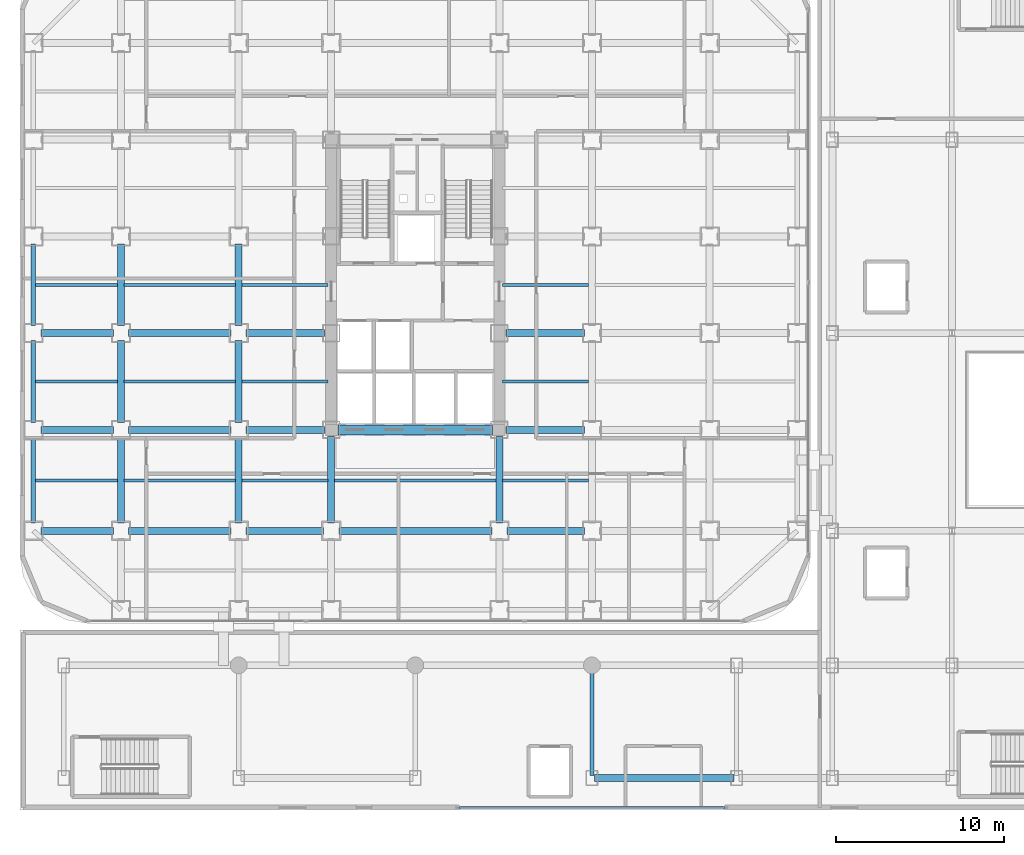
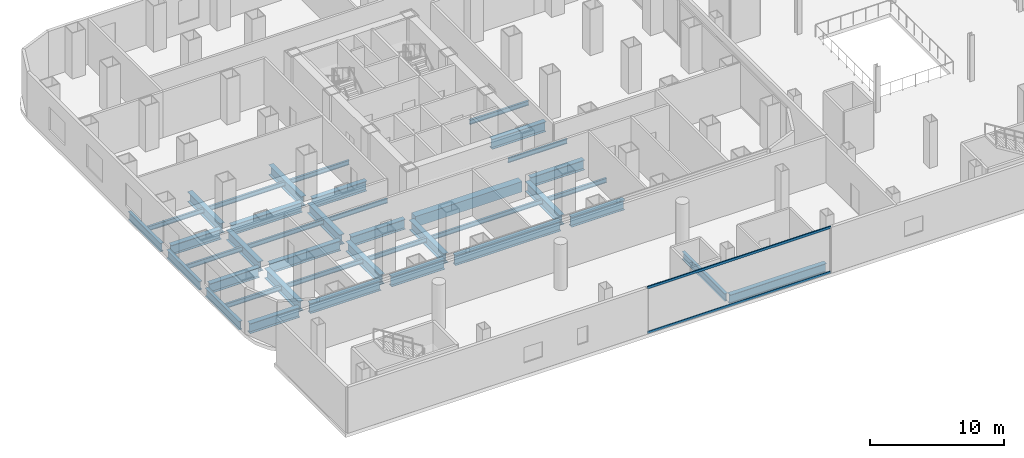
# One storey, part 9 of 26: 40 beams, 2 members, 1 element without a shape of its own.
"""IFC4 building model written with IfcOpenShell, lengths in metres."""

import ifcopenshell
import ifcopenshell.guid

model = None  # the IFC model being written
_history = None  # IfcOwnerHistory: only IFC2X3 demands one
_inside = {}  # id of a spatial element -> (the spatial element, [elements in it])
_under = {}  # id of a project, library or spatial element -> (it, [spatial elements below it])
_declared = {}  # id of a project -> (the project, [libraries it declares])
_typed = {}  # id of a type object -> (the type object, [elements of that type])
_made_of = {}  # id of a material, layer set ... -> (it, [elements and type objects made of it])


def new_model(schema):
    """Start an empty IFC model of exactly this schema.

    Asked for "IFC4X3", IfcOpenShell would pick the latest addendum, in which some entities
    have other attributes; the version numbers below select the first issue.
    IFC2X3 requires an IfcOwnerHistory on every rooted entity: one is made here for all.
    """
    global model, _history
    if schema == "IFC4X3":
        model = ifcopenshell.file(schema_version=(4, 3, 0, 0))
    else:
        model = ifcopenshell.file(schema=schema)
    _inside.clear()
    _under.clear()
    _declared.clear()
    _typed.clear()
    _made_of.clear()
    _history = None
    if model.schema == "IFC2X3":
        org = make("IfcOrganization", Name="unknown")
        user = make(
            "IfcPersonAndOrganization",
            ThePerson=make("IfcPerson", FamilyName="unknown"),
            TheOrganization=org,
        )
        app = make(
            "IfcApplication",
            ApplicationDeveloper=org,
            Version="unknown",
            ApplicationFullName="unknown",
            ApplicationIdentifier="unknown",
        )
        _history = make(
            "IfcOwnerHistory",
            OwningUser=user,
            OwningApplication=app,
            ChangeAction="ADDED",
            CreationDate=0,
        )
    return model


def make(cls, **values):
    """One entity of the class cls with the attributes given. An attribute that is None is left unset."""
    return model.create_entity(
        cls, **{name: value for name, value in values.items() if value is not None}
    )


def rooted(cls, **values):
    """An entity with a GlobalId (a new one), such as an element, a storey or a relation."""
    return make(cls, GlobalId=ifcopenshell.guid.new(), OwnerHistory=_history, **values)


def si_unit(unit_type, name, prefix=None):
    """IfcSIUnit, for example si_unit("LENGTHUNIT", "METRE", prefix="MILLI")."""
    return make("IfcSIUnit", UnitType=unit_type, Prefix=prefix, Name=name)


def assignment(units):
    """IfcUnitAssignment: the units of a project."""
    return None if units is None else make("IfcUnitAssignment", Units=units)


def point(xyz):
    """IfcCartesianPoint."""
    return None if xyz is None else make("IfcCartesianPoint", Coordinates=xyz)


def direction(xyz):
    """IfcDirection."""
    return None if xyz is None else make("IfcDirection", DirectionRatios=xyz)


def frame(location, z_axis=None, x_axis=None):
    """IfcAxis2Placement3D, a coordinate frame: its origin and axes. An axis left out is left unset."""
    return make(
        "IfcAxis2Placement3D",
        Location=point(location),
        Axis=direction(z_axis),
        RefDirection=direction(x_axis),
    )


def frame_2d(location, x_axis=None):
    """IfcAxis2Placement2D, a coordinate frame in the plane: its origin and x axis."""
    return make(
        "IfcAxis2Placement2D", Location=point(location), RefDirection=direction(x_axis)
    )


def origin():
    """The frame at (0, 0, 0) with its axes left unset."""
    return frame((0.0, 0.0, 0.0))


def origin_2d():
    """The frame at (0, 0) in the plane with its x axis left unset."""
    return frame_2d((0.0, 0.0))


def place(relative_to, where):
    """IfcLocalPlacement: puts the frame where relative to a parent placement (None: the world)."""
    return make(
        "IfcLocalPlacement", PlacementRelTo=relative_to, RelativePlacement=where
    )


def context(
    kind, dimensions, precision=None, world=None, true_north=None, identifier=None
):
    """IfcGeometricRepresentationContext, for example the 3D "Model" context."""
    return make(
        "IfcGeometricRepresentationContext",
        ContextIdentifier=identifier,
        ContextType=kind,
        CoordinateSpaceDimension=dimensions,
        Precision=precision,
        WorldCoordinateSystem=world,
        TrueNorth=true_north,
    )


def subcontext(parent, identifier, kind, view, scale=None):
    """IfcGeometricRepresentationSubContext, for example "Body" below "Model"."""
    return make(
        "IfcGeometricRepresentationSubContext",
        ContextIdentifier=identifier,
        ContextType=kind,
        ParentContext=parent,
        TargetScale=scale,
        TargetView=view,
    )


def project(units=None, contexts=None):
    """IfcProject with its units and contexts."""
    return rooted(
        "IfcProject",
        Name="project",
        RepresentationContexts=contexts,
        UnitsInContext=assignment(units),
    )


def spatial(cls, under=None, at=None, **own):
    """A site, building, storey or space (cls), placed at a placement, below another one or the project."""
    s = rooted(cls, ObjectPlacement=at, **own)
    if under is not None:
        _under.setdefault(under.id(), (under, []))[1].append(s)
    return s


def profile(cls, at=None, kind="AREA", **sizes):
    """A parametric profile (cls). Its sizes go by their IFC names, for example OverallWidth=200.0."""
    return make(cls, ProfileType=kind, Position=at, **sizes)


def rectangle(**sizes):
    """IfcRectangleProfileDef."""
    return profile("IfcRectangleProfileDef", **sizes)


def hollow_rectangle(**sizes):
    """IfcRectangleHollowProfileDef."""
    return profile("IfcRectangleHollowProfileDef", **sizes)


def i_section(**sizes):
    """IfcIShapeProfileDef."""
    return profile("IfcIShapeProfileDef", **sizes)


def extrude(swept, where, along, depth):
    """IfcExtrudedAreaSolid: the profile swept, set in the frame where, extruded along a direction by depth."""
    return make(
        "IfcExtrudedAreaSolid",
        SweptArea=swept,
        Position=where,
        ExtrudedDirection=direction(along),
        Depth=depth,
    )


def shape(context_of_items, identifier, shape_type, items):
    """IfcShapeRepresentation: the items that make up one representation, for example the "Body"."""
    return make(
        "IfcShapeRepresentation",
        ContextOfItems=context_of_items,
        RepresentationIdentifier=identifier,
        RepresentationType=shape_type,
        Items=items,
    )


def source(mapping_origin, context_of_items, identifier, shape_type, items):
    """IfcRepresentationMap: a shape defined once, which mapped items show again and again."""
    return make(
        "IfcRepresentationMap",
        MappingOrigin=mapping_origin,
        MappedRepresentation=shape(context_of_items, identifier, shape_type, items),
    )


def transform(
    local_origin,
    x_axis=None,
    y_axis=None,
    z_axis=None,
    scale=None,
    scale2=None,
    scale3=None,
    uniform=True,
):
    """IfcCartesianTransformationOperator3D, or its non-uniform kind. x_axis, y_axis, z_axis: its Axis1, 2, 3."""
    if uniform:
        return make(
            "IfcCartesianTransformationOperator3D",
            Axis1=direction(x_axis),
            Axis2=direction(y_axis),
            LocalOrigin=point(local_origin),
            Scale=scale,
            Axis3=direction(z_axis),
        )
    return make(
        "IfcCartesianTransformationOperator3DnonUniform",
        Axis1=direction(x_axis),
        Axis2=direction(y_axis),
        LocalOrigin=point(local_origin),
        Scale=scale,
        Axis3=direction(z_axis),
        Scale2=scale2,
        Scale3=scale3,
    )


def mapped(mapping_source, mapping_target):
    """IfcMappedItem: shows the shape of a source again, moved by a transform."""
    return make(
        "IfcMappedItem", MappingSource=mapping_source, MappingTarget=mapping_target
    )


def material(Name=None, Category=None):
    """IfcMaterial."""
    return make("IfcMaterial", Name=Name, Category=Category)


def layer(
    of_material, thickness, ventilated=None, Name=None, Category=None, Priority=None
):
    """IfcMaterialLayer: one layer of a wall or slab, of a material (None: an air gap)."""
    return make(
        "IfcMaterialLayer",
        Material=of_material,
        LayerThickness=thickness,
        IsVentilated=ventilated,
        Name=Name,
        Category=Category,
        Priority=Priority,
    )


def layer_set(layers, Name=None):
    """IfcMaterialLayerSet."""
    return make("IfcMaterialLayerSet", MaterialLayers=layers, LayerSetName=Name)


def material_profile(
    of_material, cross_section, Name=None, Category=None, Priority=None
):
    """IfcMaterialProfile: a cross section and its material."""
    return make(
        "IfcMaterialProfile",
        Name=Name,
        Material=of_material,
        Profile=cross_section,
        Priority=Priority,
        Category=Category,
    )


def profile_set(profiles, Name=None, composite=None):
    """IfcMaterialProfileSet."""
    return make(
        "IfcMaterialProfileSet",
        Name=Name,
        MaterialProfiles=profiles,
        CompositeProfile=composite,
    )


def made_of(thing, what):
    """Note that an element or type object is made of a material, layer set ...; save() writes the relation."""
    if what is not None:
        _made_of.setdefault(what.id(), (what, []))[1].append(thing)
    return thing


def type_object(cls, material=None, **own):
    """A type object (cls), such as IfcWallType, which elements share."""
    return made_of(rooted(cls, **own), material)


def element(
    cls,
    number,
    at=None,
    inside=None,
    cuts=None,
    type_object=None,
    material=None,
    context=None,
    identifier="Body",
    shape_type=None,
    held_by="IfcProductDefinitionShape",
    body=None,
    shapes=None,
    **own,
):
    """One element of the class cls, such as IfcWall. Its Tag is "e" and its number.

    at: its placement. inside: the storey or other place that contains it. cuts: it is an
    opening in that element (IfcRelVoidsElement). A single representation is given by context,
    identifier, shape_type and body (its items); several are given by shapes. held_by: the class
    of the entity that holds the representations. save() writes the other relations.
    """
    e = rooted(cls, Tag="e%d" % number, ObjectPlacement=at, **own)
    if body is not None:
        shapes = [shape(context, identifier, shape_type, body)]
    if shapes is not None:
        e.Representation = make(held_by, Representations=shapes)
    if inside is not None:
        _inside.setdefault(inside.id(), (inside, []))[1].append(e)
    if cuts is not None:
        rooted(
            "IfcRelVoidsElement", RelatingBuildingElement=cuts, RelatedOpeningElement=e
        )
    if type_object is not None:
        _typed.setdefault(type_object.id(), (type_object, []))[1].append(e)
    return made_of(e, material)


def aggregate(whole, parts):
    """IfcRelAggregates: a whole, such as a stair, and the parts it consists of."""
    return rooted("IfcRelAggregates", RelatingObject=whole, RelatedObjects=parts)


def save(model, path):
    """Write the relations noted so far, then the file.

    IfcRelAggregates (storeys below a building ...), IfcRelContainedInSpatialStructure (elements
    in a storey), IfcRelDefinesByType, IfcRelAssociatesMaterial and IfcRelDeclares: one each for
    every whole, place, type object, material and project.
    """
    for whole, parts in _under.values():
        aggregate(whole, parts)
    for where, things in _inside.values():
        rooted(
            "IfcRelContainedInSpatialStructure",
            RelatedElements=things,
            RelatingStructure=where,
        )
    for kind, things in _typed.values():
        rooted("IfcRelDefinesByType", RelatedObjects=things, RelatingType=kind)
    for what, things in _made_of.values():
        rooted("IfcRelAssociatesMaterial", RelatedObjects=things, RelatingMaterial=what)
    for by, libraries in _declared.values():
        rooted("IfcRelDeclares", RelatingContext=by, RelatedDefinitions=libraries)
    model.write(path)


model = new_model("IFC4")

# Units and contexts
model_context = context("Model", 3, precision=1e-05, world=origin(), true_north=direction((0.0, 1.0)))
body_context = subcontext(model_context, "Body", "Model", "MODEL_VIEW")
ifc_project = project(units=[si_unit("LENGTHUNIT", "METRE"), si_unit("AREAUNIT", "SQUARE_METRE"), si_unit("VOLUMEUNIT", "CUBIC_METRE"), si_unit("PLANEANGLEUNIT", "RADIAN"), si_unit("MASSUNIT", "GRAM", prefix="KILO")], contexts=[model_context])

# Site, building, storey
site_placement = place(None, origin())
site = spatial("IfcSite", under=ifc_project, at=site_placement, CompositionType="ELEMENT")
building_placement = place(site_placement, origin())
building = spatial("IfcBuilding", under=site, at=building_placement, Name="Kolveth Station Tower", CompositionType="ELEMENT")
storey_placement = place(building_placement, frame((0.0, 0.0, 4.5)))
storey = spatial("IfcBuildingStorey", under=building, at=storey_placement, Name="L01", CompositionType="ELEMENT", Elevation=4.5)

# Beams
ifc_material_1 = material(Name="Steel S355", Category="steel")
ifc_material_profile_1 = material_profile(ifc_material_1, i_section(OverallWidth=0.26904296875, OverallDepth=0.77490234375, WebThickness=0.01708984375, FlangeThickness=0.0283203125, at=origin_2d()), Name="W760x220")
ifc_profile_set_1 = profile_set([ifc_material_profile_1], Name="Steel S355")
beam_type_1 = type_object("IfcBeamType", Name="Beam_SP1", PredefinedType="SPANDREL", material=ifc_profile_set_1)
shared_shape_1 = source(origin(), body_context, "Body", "SweptSolid", [
    extrude(i_section(OverallWidth=0.26904296875, OverallDepth=0.77490234375, WebThickness=0.01708984375, FlangeThickness=0.0283203125, at=origin_2d()), origin(), (0.0, 0.0, 1.0), 5.10009765625),
])
beam_1_placement = place(storey_placement, frame((0.800048828125, 5.949951171875, -0.70751953125), z_axis=(0.0, 1.0, 0.0), x_axis=(-1.0, 0.0, 0.0)))
element("IfcBeam", 1, at=beam_1_placement, inside=storey, type_object=beam_type_1, Name="L01 Perimeter Spandrel BM-L01-PW-1", PredefinedType="SPANDREL", context=body_context, shape_type="MappedRepresentation", body=[
    mapped(shared_shape_1, transform((0.0, 0.0, 0.0), x_axis=(1.0, 0.0, 0.0), y_axis=(0.0, 1.0, 0.0), z_axis=(0.0, 0.0, 1.0), scale=1.0)),
])
shared_shape_2 = source(origin(), body_context, "Body", "SweptSolid", [
    extrude(i_section(OverallWidth=0.26904296875, OverallDepth=0.77490234375, WebThickness=0.01708984375, FlangeThickness=0.0283203125, at=origin_2d()), origin(), (0.0, 0.0, 1.0), 4.85009765625),
])
for number, where, z_axis, x_axis, name in (
    (2, (0.800048828125, 11.949951171875, -0.70751953125), (0.0, 1.0, 0.0), (-1.0, 0.0, 0.0), "L01 Perimeter Spandrel BM-L01-PW-2"),
    (3, (0.800048828125, 17.699951171875, -0.70751953125), (0.0, 1.0, 0.0), (-1.0, 0.0, 0.0), "L01 Perimeter Spandrel BM-L01-PW-3"),
):
    element("IfcBeam", number, at=place(storey_placement, frame(where, z_axis=z_axis, x_axis=x_axis)), inside=storey, type_object=beam_type_1, Name=name, PredefinedType="SPANDREL", context=body_context, shape_type="MappedRepresentation", body=[
        mapped(shared_shape_2, transform((0.0, 0.0, 0.0), x_axis=(1.0, 0.0, 0.0), y_axis=(0.0, 1.0, 0.0), z_axis=(0.0, 0.0, 1.0), scale=1.0)),
    ])
ifc_material_profile_2 = material_profile(ifc_material_1, i_section(OverallWidth=0.41796875, OverallDepth=0.912109375, WebThickness=0.019287109375, FlangeThickness=0.031982421875, at=origin_2d()), Name="W920x342")
ifc_profile_set_2 = profile_set([ifc_material_profile_2], Name="Steel S355")
beam_type_2 = type_object("IfcBeamType", Name="Beam_B1", PredefinedType="BEAM", material=ifc_profile_set_2)
shared_shape_3 = source(origin(), body_context, "Body", "SweptSolid", [
    extrude(i_section(OverallWidth=0.41796875, OverallDepth=0.912109375, WebThickness=0.019287109375, FlangeThickness=0.031982421875, at=origin_2d()), origin(), (0.0, 0.0, 1.0), 4.300048828125),
])
for number, where, z_axis, x_axis, name in (
    (4, (1.25, 5.5, -0.77587890625), (1.0, 0.0, 0.0), (0.0, 1.0, 0.0), "L01 Primary Girder BM-L01-GY55-1"),
    (5, (1.25, 11.5, -0.77587890625), (1.0, 0.0, 0.0), (0.0, 1.0, 0.0), "L01 Primary Girder BM-L01-GY115-1"),
    (6, (1.25, 17.25, -0.77587890625), (1.0, 0.0, 0.0), (0.0, 1.0, 0.0), "L01 Primary Girder BM-L01-GY172-1"),
):
    element("IfcBeam", number, at=place(storey_placement, frame(where, z_axis=z_axis, x_axis=x_axis)), inside=storey, type_object=beam_type_2, Name=name, PredefinedType="BEAM", context=body_context, shape_type="MappedRepresentation", body=[
        mapped(shared_shape_3, transform((0.0, 0.0, 0.0), x_axis=(1.0, 0.0, 0.0), y_axis=(0.0, 1.0, 0.0), z_axis=(0.0, 0.0, 1.0), scale=1.0)),
    ])
shared_shape_4 = source(origin(), body_context, "Body", "SweptSolid", [
    extrude(i_section(OverallWidth=0.41796875, OverallDepth=0.912109375, WebThickness=0.019287109375, FlangeThickness=0.031982421875, at=origin_2d()), origin(), (0.0, 0.0, 1.0), 6.10009765625),
])
for number, where, z_axis, x_axis, name in (
    (7, (6.449951171875, 5.5, -0.77587890625), (1.0, 0.0, 0.0), (0.0, 1.0, 0.0), "L01 Primary Girder BM-L01-GY55-2"),
    (8, (6.449951171875, 11.5, -0.77587890625), (1.0, 0.0, 0.0), (0.0, 1.0, 0.0), "L01 Primary Girder BM-L01-GY115-2"),
    (9, (6.449951171875, 17.25, -0.77587890625), (1.0, 0.0, 0.0), (0.0, 1.0, 0.0), "L01 Primary Girder BM-L01-GY172-2"),
):
    element("IfcBeam", number, at=place(storey_placement, frame(where, z_axis=z_axis, x_axis=x_axis)), inside=storey, type_object=beam_type_2, Name=name, PredefinedType="BEAM", context=body_context, shape_type="MappedRepresentation", body=[
        mapped(shared_shape_4, transform((0.0, 0.0, 0.0), x_axis=(1.0, 0.0, 0.0), y_axis=(0.0, 1.0, 0.0), z_axis=(0.0, 0.0, 1.0), scale=1.0)),
    ])
shared_shape_5 = source(origin(), body_context, "Body", "SweptSolid", [
    extrude(i_section(OverallWidth=0.41796875, OverallDepth=0.912109375, WebThickness=0.019287109375, FlangeThickness=0.031982421875, at=origin_2d()), origin(), (0.0, 0.0, 1.0), 4.60009765625),
])
for number, where, z_axis, x_axis, name in (
    (10, (13.449951171875, 5.5, -0.77587890625), (1.0, 0.0, 0.0), (0.0, 1.0, 0.0), "L01 Primary Girder BM-L01-GY55-3"),
    (11, (28.949951171875, 5.5, -0.77587890625), (1.0, 0.0, 0.0), (0.0, 1.0, 0.0), "L01 Primary Girder BM-L01-GY55-5"),
):
    element("IfcBeam", number, at=place(storey_placement, frame(where, z_axis=z_axis, x_axis=x_axis)), inside=storey, type_object=beam_type_2, Name=name, PredefinedType="BEAM", context=body_context, shape_type="MappedRepresentation", body=[
        mapped(shared_shape_5, transform((0.0, 0.0, 0.0), x_axis=(1.0, 0.0, 0.0), y_axis=(0.0, 1.0, 0.0), z_axis=(0.0, 0.0, 1.0), scale=1.0)),
    ])
shared_shape_6 = source(origin(), body_context, "Body", "SweptSolid", [
    extrude(i_section(OverallWidth=0.41796875, OverallDepth=0.912109375, WebThickness=0.019287109375, FlangeThickness=0.031982421875, at=origin_2d()), origin(), (0.0, 0.0, 1.0), 9.10009765625),
])
beam_2_placement = place(storey_placement, frame((18.949951171875, 5.5, -0.77587890625), z_axis=(1.0, 0.0, 0.0), x_axis=(0.0, 1.0, 0.0)))
element("IfcBeam", 12, at=beam_2_placement, inside=storey, type_object=beam_type_2, Name="L01 Primary Girder BM-L01-GY55-4", PredefinedType="BEAM", context=body_context, shape_type="MappedRepresentation", body=[
    mapped(shared_shape_6, transform((0.0, 0.0, 0.0), x_axis=(1.0, 0.0, 0.0), y_axis=(0.0, 1.0, 0.0), z_axis=(0.0, 0.0, 1.0), scale=1.0)),
])
shared_shape_7 = source(origin(), body_context, "Body", "SweptSolid", [
    extrude(i_section(OverallWidth=0.41796875, OverallDepth=0.912109375, WebThickness=0.019287109375, FlangeThickness=0.031982421875, at=origin_2d()), origin(), (0.0, 0.0, 1.0), 4.650146484375),
])
for number, where, z_axis, x_axis, name in (
    (13, (13.449951171875, 11.5, -0.77587890625), (1.0, 0.0, 0.0), (0.0, 1.0, 0.0), "L01 Primary Girder BM-L01-GY115-3"),
    (14, (28.89990234375, 11.5, -0.77587890625), (1.0, 0.0, 0.0), (0.0, 1.0, 0.0), "L01 Primary Girder BM-L01-GY115-5"),
    (15, (13.449951171875, 17.25, -0.77587890625), (1.0, 0.0, 0.0), (0.0, 1.0, 0.0), "L01 Primary Girder BM-L01-GY172-3"),
    (16, (28.89990234375, 17.25, -0.77587890625), (1.0, 0.0, 0.0), (0.0, 1.0, 0.0), "L01 Primary Girder BM-L01-GY172-5"),
):
    element("IfcBeam", number, at=place(storey_placement, frame(where, z_axis=z_axis, x_axis=x_axis)), inside=storey, type_object=beam_type_2, Name=name, PredefinedType="BEAM", context=body_context, shape_type="MappedRepresentation", body=[
        mapped(shared_shape_7, transform((0.0, 0.0, 0.0), x_axis=(1.0, 0.0, 0.0), y_axis=(0.0, 1.0, 0.0), z_axis=(0.0, 0.0, 1.0), scale=1.0)),
    ])
ifc_material_2 = material(Name="Concrete C60/75", Category="concrete")
ifc_material_profile_3 = material_profile(ifc_material_2, rectangle(XDim=0.60009765625, YDim=0.949951171875, at=origin_2d()), Name="RC-600x950")
ifc_profile_set_3 = profile_set([ifc_material_profile_3], Name="Concrete C60/75")
beam_type_3 = type_object("IfcBeamType", Name="Beam_CB1", PredefinedType="BEAM", material=ifc_profile_set_3)
shared_shape_8 = source(origin(), body_context, "Body", "SweptSolid", [
    extrude(rectangle(XDim=0.60009765625, YDim=0.949951171875, at=origin_2d()), origin(), (0.0, 0.0, 1.0), 9.2001953125),
])
beam_3_placement = place(storey_placement, frame((18.89990234375, 11.5, -0.794921875), z_axis=(1.0, 0.0, 0.0), x_axis=(0.0, 1.0, 0.0)))
element("IfcBeam", 17, at=beam_3_placement, inside=storey, type_object=beam_type_3, Name="L01 Core Coupling Beam BM-L01-CB-Y115", PredefinedType="BEAM", context=body_context, shape_type="MappedRepresentation", body=[
    mapped(shared_shape_8, transform((0.0, 0.0, 0.0), x_axis=(1.0, 0.0, 0.0), y_axis=(0.0, 1.0, 0.0), z_axis=(0.0, 0.0, 1.0), scale=1.0)),
])
shared_shape_9 = source(origin(), body_context, "Body", "SweptSolid", [
    extrude(i_section(OverallWidth=0.41796875, OverallDepth=0.912109375, WebThickness=0.019287109375, FlangeThickness=0.031982421875, at=origin_2d()), origin(), (0.0, 0.0, 1.0), 5.10009765625),
])
for number, where, z_axis, x_axis, name in (
    (18, (6.0, 5.949951171875, -0.77587890625), (0.0, 1.0, 0.0), (-1.0, 0.0, 0.0), "L01 Primary Girder BM-L01-GX60-2"),
    (19, (13.0, 5.949951171875, -0.77587890625), (0.0, 1.0, 0.0), (-1.0, 0.0, 0.0), "L01 Primary Girder BM-L01-GX130-2"),
):
    element("IfcBeam", number, at=place(storey_placement, frame(where, z_axis=z_axis, x_axis=x_axis)), inside=storey, type_object=beam_type_2, Name=name, PredefinedType="BEAM", context=body_context, shape_type="MappedRepresentation", body=[
        mapped(shared_shape_9, transform((0.0, 0.0, 0.0), x_axis=(1.0, 0.0, 0.0), y_axis=(0.0, 1.0, 0.0), z_axis=(0.0, 0.0, 1.0), scale=1.0)),
    ])
shared_shape_10 = source(origin(), body_context, "Body", "SweptSolid", [
    extrude(i_section(OverallWidth=0.41796875, OverallDepth=0.912109375, WebThickness=0.019287109375, FlangeThickness=0.031982421875, at=origin_2d()), origin(), (0.0, 0.0, 1.0), 4.85009765625),
])
for number, where, z_axis, x_axis, name in (
    (20, (6.0, 11.949951171875, -0.77587890625), (0.0, 1.0, 0.0), (-1.0, 0.0, 0.0), "L01 Primary Girder BM-L01-GX60-3"),
    (21, (6.0, 17.699951171875, -0.77587890625), (0.0, 1.0, 0.0), (-1.0, 0.0, 0.0), "L01 Primary Girder BM-L01-GX60-4"),
    (22, (13.0, 11.949951171875, -0.77587890625), (0.0, 1.0, 0.0), (-1.0, 0.0, 0.0), "L01 Primary Girder BM-L01-GX130-3"),
    (23, (13.0, 17.699951171875, -0.77587890625), (0.0, 1.0, 0.0), (-1.0, 0.0, 0.0), "L01 Primary Girder BM-L01-GX130-4"),
):
    element("IfcBeam", number, at=place(storey_placement, frame(where, z_axis=z_axis, x_axis=x_axis)), inside=storey, type_object=beam_type_2, Name=name, PredefinedType="BEAM", context=body_context, shape_type="MappedRepresentation", body=[
        mapped(shared_shape_10, transform((0.0, 0.0, 0.0), x_axis=(1.0, 0.0, 0.0), y_axis=(0.0, 1.0, 0.0), z_axis=(0.0, 0.0, 1.0), scale=1.0)),
    ])
shared_shape_11 = source(origin(), body_context, "Body", "SweptSolid", [
    extrude(i_section(OverallWidth=0.41796875, OverallDepth=0.912109375, WebThickness=0.019287109375, FlangeThickness=0.031982421875, at=origin_2d()), origin(), (0.0, 0.0, 1.0), 5.150146484375),
])
for number, where, z_axis, x_axis, name in (
    (24, (18.5, 5.949951171875, -0.77587890625), (0.0, 1.0, 0.0), (-1.0, 0.0, 0.0), "L01 Primary Girder BM-L01-GX185-2"),
    (25, (28.5, 5.949951171875, -0.77587890625), (0.0, 1.0, 0.0), (-1.0, 0.0, 0.0), "L01 Primary Girder BM-L01-GX285-2"),
):
    element("IfcBeam", number, at=place(storey_placement, frame(where, z_axis=z_axis, x_axis=x_axis)), inside=storey, type_object=beam_type_2, Name=name, PredefinedType="BEAM", context=body_context, shape_type="MappedRepresentation", body=[
        mapped(shared_shape_11, transform((0.0, 0.0, 0.0), x_axis=(1.0, 0.0, 0.0), y_axis=(0.0, 1.0, 0.0), z_axis=(0.0, 0.0, 1.0), scale=1.0)),
    ])
ifc_material_profile_4 = material_profile(ifc_material_1, i_section(OverallWidth=0.177978515625, OverallDepth=0.406982421875, WebThickness=0.0078125, FlangeThickness=0.0126953125, at=origin_2d()), Name="W410x60")
ifc_profile_set_4 = profile_set([ifc_material_profile_4], Name="Steel S355")
beam_type_4 = type_object("IfcBeamType", Name="Beam_J1", PredefinedType="JOIST", material=ifc_profile_set_4)
shared_shape_12 = source(origin(), body_context, "Body", "SweptSolid", [
    extrude(i_section(OverallWidth=0.177978515625, OverallDepth=0.406982421875, WebThickness=0.0078125, FlangeThickness=0.0126953125, at=origin_2d()), origin(), (0.0, 0.0, 1.0), 4.872314453125),
])
for number, where, z_axis, x_axis, name in (
    (26, (0.9326171875, 8.5, -0.5234375), (1.0, 0.0, 0.0), (0.0, 1.0, 0.0), "L01 Secondary Joist JST-L01-1-2"),
    (27, (0.9326171875, 14.375, -0.5234375), (1.0, 0.0, 0.0), (0.0, 1.0, 0.0), "L01 Secondary Joist JST-L01-1-3"),
    (28, (0.9326171875, 20.125, -0.5234375), (1.0, 0.0, 0.0), (0.0, 1.0, 0.0), "L01 Secondary Joist JST-L01-1-4"),
):
    element("IfcBeam", number, at=place(storey_placement, frame(where, z_axis=z_axis, x_axis=x_axis)), inside=storey, type_object=beam_type_4, Name=name, PredefinedType="JOIST", context=body_context, shape_type="MappedRepresentation", body=[
        mapped(shared_shape_12, transform((0.0, 0.0, 0.0), x_axis=(1.0, 0.0, 0.0), y_axis=(0.0, 1.0, 0.0), z_axis=(0.0, 0.0, 1.0), scale=1.0)),
    ])
shared_shape_13 = source(origin(), body_context, "Body", "SweptSolid", [
    extrude(i_section(OverallWidth=0.177978515625, OverallDepth=0.406982421875, WebThickness=0.0078125, FlangeThickness=0.0126953125, at=origin_2d()), origin(), (0.0, 0.0, 1.0), 6.60986328125),
])
for number, where, z_axis, x_axis, name in (
    (29, (6.195068359375, 8.5, -0.5234375), (1.0, 0.0, 0.0), (0.0, 1.0, 0.0), "L01 Secondary Joist JST-L01-2-2"),
    (30, (6.195068359375, 14.375, -0.5234375), (1.0, 0.0, 0.0), (0.0, 1.0, 0.0), "L01 Secondary Joist JST-L01-2-3"),
    (31, (6.195068359375, 20.125, -0.5234375), (1.0, 0.0, 0.0), (0.0, 1.0, 0.0), "L01 Secondary Joist JST-L01-2-4"),
):
    element("IfcBeam", number, at=place(storey_placement, frame(where, z_axis=z_axis, x_axis=x_axis)), inside=storey, type_object=beam_type_4, Name=name, PredefinedType="JOIST", context=body_context, shape_type="MappedRepresentation", body=[
        mapped(shared_shape_13, transform((0.0, 0.0, 0.0), x_axis=(1.0, 0.0, 0.0), y_axis=(0.0, 1.0, 0.0), z_axis=(0.0, 0.0, 1.0), scale=1.0)),
    ])
shared_shape_14 = source(origin(), body_context, "Body", "SweptSolid", [
    extrude(i_section(OverallWidth=0.177978515625, OverallDepth=0.406982421875, WebThickness=0.0078125, FlangeThickness=0.0126953125, at=origin_2d()), origin(), (0.0, 0.0, 1.0), 5.10986328125),
])
for number, where, z_axis, x_axis, name in (
    (32, (13.195068359375, 8.5, -0.5234375), (1.0, 0.0, 0.0), (0.0, 1.0, 0.0), "L01 Secondary Joist JST-L01-3-2"),
    (33, (13.195068359375, 14.375, -0.5234375), (1.0, 0.0, 0.0), (0.0, 1.0, 0.0), "L01 Secondary Joist JST-L01-3-3"),
    (34, (13.195068359375, 20.125, -0.5234375), (1.0, 0.0, 0.0), (0.0, 1.0, 0.0), "L01 Secondary Joist JST-L01-3-4"),
    (35, (28.695068359375, 8.5, -0.5234375), (1.0, 0.0, 0.0), (0.0, 1.0, 0.0), "L01 Secondary Joist JST-L01-5-2"),
    (36, (28.695068359375, 14.375, -0.5234375), (1.0, 0.0, 0.0), (0.0, 1.0, 0.0), "L01 Secondary Joist JST-L01-5-3"),
    (37, (28.695068359375, 20.125, -0.5234375), (1.0, 0.0, 0.0), (0.0, 1.0, 0.0), "L01 Secondary Joist JST-L01-5-4"),
):
    element("IfcBeam", number, at=place(storey_placement, frame(where, z_axis=z_axis, x_axis=x_axis)), inside=storey, type_object=beam_type_4, Name=name, PredefinedType="JOIST", context=body_context, shape_type="MappedRepresentation", body=[
        mapped(shared_shape_14, transform((0.0, 0.0, 0.0), x_axis=(1.0, 0.0, 0.0), y_axis=(0.0, 1.0, 0.0), z_axis=(0.0, 0.0, 1.0), scale=1.0)),
    ])
shared_shape_15 = source(origin(), body_context, "Body", "SweptSolid", [
    extrude(i_section(OverallWidth=0.177978515625, OverallDepth=0.406982421875, WebThickness=0.0078125, FlangeThickness=0.0126953125, at=origin_2d()), origin(), (0.0, 0.0, 1.0), 9.60986328125),
])
beam_4_placement = place(storey_placement, frame((18.695068359375, 8.5, -0.5234375), z_axis=(1.0, 0.0, 0.0), x_axis=(0.0, 1.0, 0.0)))
element("IfcBeam", 38, at=beam_4_placement, inside=storey, type_object=beam_type_4, Name="L01 Secondary Joist JST-L01-4-2", PredefinedType="JOIST", context=body_context, shape_type="MappedRepresentation", body=[
    mapped(shared_shape_15, transform((0.0, 0.0, 0.0), x_axis=(1.0, 0.0, 0.0), y_axis=(0.0, 1.0, 0.0), z_axis=(0.0, 0.0, 1.0), scale=1.0)),
])
ifc_material_profile_5 = material_profile(ifc_material_1, i_section(OverallWidth=0.40087890625, OverallDepth=0.85107421875, WebThickness=0.01611328125, FlangeThickness=0.025390625, at=origin_2d()), Name="W840x226")
ifc_profile_set_5 = profile_set([ifc_material_profile_5], Name="Steel S355")
beam_type_5 = type_object("IfcBeamType", Name="Beam_B2", PredefinedType="BEAM", material=ifc_profile_set_5)
shared_shape_16 = source(origin(), body_context, "Body", "SweptSolid", [
    extrude(i_section(OverallWidth=0.40087890625, OverallDepth=0.85107421875, WebThickness=0.01611328125, FlangeThickness=0.025390625, at=origin_2d()), origin(), (0.0, 0.0, 1.0), 8.300048828125),
])
beam_5_placement = place(storey_placement, frame((34.14990234375, -9.199951171875, -0.74560546875), z_axis=(1.0, 0.0, 0.0), x_axis=(0.0, 1.0, 0.0)))
element("IfcBeam", 39, at=beam_5_placement, inside=storey, type_object=beam_type_5, Name="L01 Station Concourse Girder SBM-L01-SL1-4", PredefinedType="BEAM", context=body_context, shape_type="MappedRepresentation", body=[
    mapped(shared_shape_16, transform((0.0, 0.0, 0.0), x_axis=(1.0, 0.0, 0.0), y_axis=(0.0, 1.0, 0.0), z_axis=(0.0, 0.0, 1.0), scale=1.0)),
])
ifc_material_profile_6 = material_profile(ifc_material_1, i_section(OverallWidth=0.25390625, OverallDepth=0.68798828125, WebThickness=0.01318359375, FlangeThickness=0.02099609375, at=origin_2d()), Name="W690x152")
ifc_profile_set_6 = profile_set([ifc_material_profile_6], Name="Steel S355")
beam_type_6 = type_object("IfcBeamType", Name="Beam_B4", PredefinedType="BEAM", material=ifc_profile_set_6)
shared_shape_17 = source(origin(), body_context, "Body", "SweptSolid", [
    extrude(i_section(OverallWidth=0.25390625, OverallDepth=0.68798828125, WebThickness=0.01318359375, FlangeThickness=0.02099609375, at=origin_2d()), origin(), (0.0, 0.0, 1.0), 6.400146484375),
])
beam_6_placement = place(storey_placement, frame((34.0, -9.050048828125, -0.6640625), z_axis=(0.0, 1.0, 0.0), x_axis=(-1.0, 0.0, 0.0)))
element("IfcBeam", 40, at=beam_6_placement, inside=storey, type_object=beam_type_6, Name="L01 Station Transverse Beam SBM-L01-ST-4", PredefinedType="BEAM", context=body_context, shape_type="MappedRepresentation", body=[
    mapped(shared_shape_17, transform((0.0, 0.0, 0.0), x_axis=(1.0, 0.0, 0.0), y_axis=(0.0, 1.0, 0.0), z_axis=(0.0, 0.0, 1.0), scale=1.0)),
])

# Curtain wall, members
ifc_material_3 = material(Name="Black anodized aluminium 6063-T6 and clear station glass", Category="aluminium")
ifc_layer = layer(ifc_material_3, 0.239990234375)
ifc_layer_set = layer_set([ifc_layer], Name="Black anodized aluminium 6063-T6 and clear station glass")
curtain_wall_type = type_object("IfcCurtainWallType", Name="CurtainWall_CW-ST", PredefinedType="NOTDEFINED", material=ifc_layer_set)
curtain_wall_placement = place(storey_placement, origin())
curtain_wall = element("IfcCurtainWall", 41, at=curtain_wall_placement, inside=storey, type_object=curtain_wall_type, Name="L01 Station South Concourse Curtain Wall", PredefinedType="NOTDEFINED")
ifc_material_4 = material(Name="Black anodized aluminium 6063-T6", Category="aluminium")
ifc_material_profile_7 = material_profile(ifc_material_4, hollow_rectangle(XDim=0.094970703125, YDim=0.219970703125, WallThickness=0.0048828125, at=origin_2d()), Name="ALU-95x220x5")
ifc_profile_set_7 = profile_set([ifc_material_profile_7], Name="Black anodized aluminium 6063-T6")
member_type = type_object("IfcMemberType", Name="Transom_TR-ST", PredefinedType="USERDEFINED", material=ifc_profile_set_7)
shared_shape_18 = source(origin(), body_context, "Body", "SweptSolid", [
    extrude(hollow_rectangle(XDim=0.094970703125, YDim=0.219970703125, WallThickness=0.0048828125, at=origin_2d()), origin(), (0.0, 0.0, 1.0), 15.7998046875),
])
member_1_placement = place(storey_placement, frame((26.10009765625, -10.949951171875, 0.047607421875), z_axis=(1.0, 0.0, 0.0), x_axis=(0.0, 1.0, 0.0)))
member_1 = element("IfcMember", 42, at=member_1_placement, type_object=member_type, Name="CW-ST transom 1.1", ObjectType="TRANSOM", PredefinedType="USERDEFINED", context=body_context, shape_type="MappedRepresentation", body=[
    mapped(shared_shape_18, transform((0.0, 0.0, 0.0), x_axis=(1.0, 0.0, 0.0), y_axis=(0.0, 1.0, 0.0), z_axis=(0.0, 0.0, 1.0), scale=1.0)),
])
member_2_placement = place(storey_placement, frame((26.10009765625, -10.949951171875, 4.132568359375), z_axis=(1.0, 0.0, 0.0), x_axis=(0.0, 1.0, 0.0)))
member_2 = element("IfcMember", 43, at=member_2_placement, type_object=member_type, Name="CW-ST transom 1.2", ObjectType="TRANSOM", PredefinedType="USERDEFINED", context=body_context, shape_type="MappedRepresentation", body=[
    mapped(shared_shape_18, transform((0.0, 0.0, 0.0), x_axis=(1.0, 0.0, 0.0), y_axis=(0.0, 1.0, 0.0), z_axis=(0.0, 0.0, 1.0), scale=1.0)),
])
aggregate(curtain_wall, [member_1, member_2])

save(model, "model.ifc")
